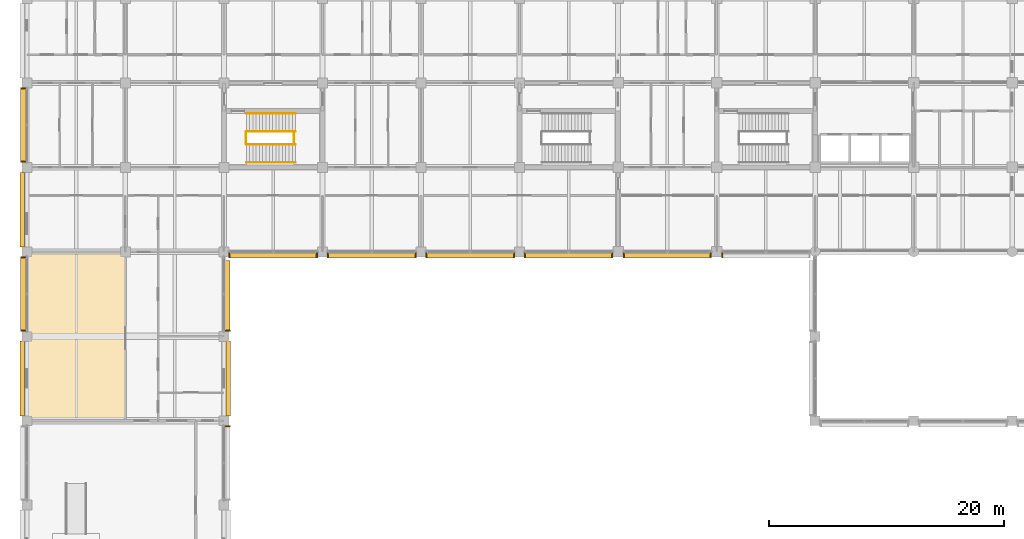
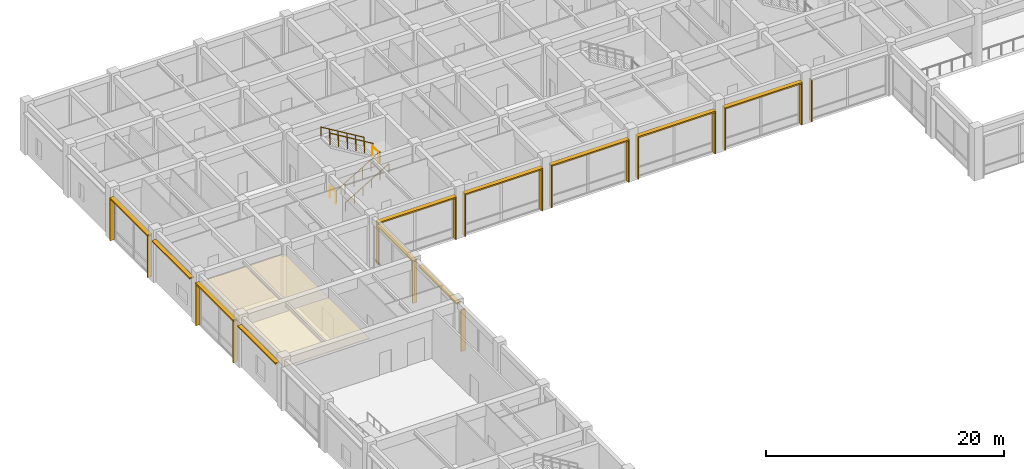
# One storey, part 46 of 51: 28 shading devices, 6 railings, 1 covering.
"""IFC4 building model written with IfcOpenShell, lengths in metres."""

from ifc_helpers import new_model, si_unit, direction, frame, origin, origin_2d, place, context, subcontext, project, spatial, polyline, rectangle, circle, outline, extrude, material, layer, layer_set, type_object, element, save


model = new_model("IFC4")

# Units and contexts
model_context = context("Model", 3, precision=1e-05, world=origin(), true_north=direction((0.0, 1.0)))
body_context = subcontext(model_context, "Body", "Model", "MODEL_VIEW")
ifc_project = project(units=[si_unit("LENGTHUNIT", "METRE"), si_unit("AREAUNIT", "SQUARE_METRE"), si_unit("VOLUMEUNIT", "CUBIC_METRE"), si_unit("PLANEANGLEUNIT", "RADIAN"), si_unit("MASSUNIT", "GRAM", prefix="KILO")], contexts=[model_context])

# Site, building, storey
site_placement = place(None, origin())
site = spatial("IfcSite", under=ifc_project, at=site_placement, CompositionType="ELEMENT")
building_placement = place(site_placement, origin())
building = spatial("IfcBuilding", under=site, at=building_placement, Name="Chengyuan Square Courthouse", CompositionType="ELEMENT")
storey_placement = place(building_placement, frame((0.0, 0.0, 10.800048828125)))
storey = spatial("IfcBuildingStorey", under=building, at=storey_placement, Name="L03", CompositionType="ELEMENT", Elevation=10.800048828125)

# Covering
ifc_material_1 = material(Name="Perforated Larch Glulam Acoustic Slat Ceiling", Category="wood")
ifc_layer = layer(ifc_material_1, 0.044921875)
ifc_layer_set = layer_set([ifc_layer], Name="Perforated Larch Glulam Acoustic Slat Ceiling")
covering_type = type_object("IfcCoveringType", Name="CLG-01", PredefinedType="CEILING", material=ifc_layer_set)
covering_placement = place(storey_placement, frame((0.0, 0.0, 4.02001953125)))
element("IfcCovering", 1, at=covering_placement, inside=storey, type_object=covering_type, Name="Acoustic Timber Slat Ceiling CLG-L03-CRT-W09", PredefinedType="CEILING", context=body_context, shape_type="SweptSolid", body=[
    extrude(outline(polyline([(0.050048828125, 64.85009765625), (8.35009765625, 64.85009765625), (8.35009765625, 79.14990234375), (0.050048828125, 79.14990234375), (0.050048828125, 64.85009765625)])), origin(), (0.0, 0.0, 1.0), 0.044921875),
])

# Railings
ifc_material_2 = material(Name="Tempered Glass and Timber Top-Rail Balustrade", Category="wood")
railing_type_1 = type_object("IfcRailingType", Name="RL-02", PredefinedType="BALUSTRADE", material=ifc_material_2)
for number, where, name in (
    (2, (18.68994140625, 88.39990234375, 0.0), "Stair Floor Slot Guard ST-9 L03"),
    (3, (22.7900390625, 88.39990234375, 2.699951171875), "Stair Landing Guard ST-9-L03"),
):
    element("IfcRailing", number, at=place(storey_placement, frame(where)), inside=storey, type_object=railing_type_1, Name=name, PredefinedType="BALUSTRADE", context=body_context, shape_type="SweptSolid", body=[
        extrude(circle(Radius=0.02392578125, at=origin_2d()), frame((0.0, 0.0, 1.17578125), z_axis=(0.0, 1.0, 0.0), x_axis=(-1.0, 0.0, 0.0)), (0.0, 0.0, 1.0), 1.0),
        extrude(circle(Radius=0.02099609375, at=origin_2d()), origin(), (0.0, 0.0, 1.0), 1.15185546875),
        extrude(circle(Radius=0.02099609375, at=origin_2d()), frame((0.0, 1.0, 0.0)), (0.0, 0.0, 1.0), 1.15185546875),
    ])
railing_1_placement = place(storey_placement, frame((18.7099609375, 88.35009765625, 0.168701171875)))
element("IfcRailing", 4, at=railing_1_placement, inside=storey, type_object=railing_type_1, Name="Stair Flight 1 Guard ST-9-L03", PredefinedType="BALUSTRADE", context=body_context, shape_type="SweptSolid", body=[
    extrude(circle(Radius=0.02392578125, at=origin_2d()), frame((0.0, 0.0, 1.17578125), z_axis=(0.856476492594, 0.0, 0.516186030065), x_axis=(0.0, 1.0, 0.0)), (0.0, 0.0, 1.0), 4.90380859375),
    extrude(circle(Radius=0.02099609375, at=origin_2d()), origin(), (0.0, 0.0, 1.0), 1.15185546875),
    extrude(circle(Radius=0.02099609375, at=origin_2d()), frame((0.840087890625, 0.0, 0.50634765625)), (0.0, 0.0, 1.0), 1.15185546875),
    extrude(circle(Radius=0.02099609375, at=origin_2d()), frame((1.679931640625, 0.0, 1.012451171875)), (0.0, 0.0, 1.0), 1.15185546875),
    extrude(circle(Radius=0.02099609375, at=origin_2d()), frame((2.52001953125, 0.0, 1.518798828125)), (0.0, 0.0, 1.0), 1.15185546875),
    extrude(circle(Radius=0.02099609375, at=origin_2d()), frame((3.35986328125, 0.0, 2.02490234375)), (0.0, 0.0, 1.0), 1.15185546875),
    extrude(circle(Radius=0.02099609375, at=origin_2d()), frame((4.199951171875, 0.0, 2.53125)), (0.0, 0.0, 1.0), 1.15185546875),
])
railing_2_placement = place(storey_placement, frame((22.909912109375, 89.449951171875, 2.86865234375)))
element("IfcRailing", 5, at=railing_2_placement, inside=storey, type_object=railing_type_1, Name="Stair Flight 2 Guard ST-9-L03", PredefinedType="BALUSTRADE", context=body_context, shape_type="SweptSolid", body=[
    extrude(circle(Radius=0.02392578125, at=origin_2d()), frame((0.0, 0.0, 1.17578125), z_axis=(-0.856476492594, 0.0, 0.516186030065), x_axis=(0.0, -1.0, 0.0)), (0.0, 0.0, 1.0), 4.90380859375),
    extrude(circle(Radius=0.02099609375, at=origin_2d()), origin(), (0.0, 0.0, 1.0), 1.15185546875),
    extrude(circle(Radius=0.02099609375, at=origin_2d()), frame((-0.840087890625, 0.0, 0.50634765625)), (0.0, 0.0, 1.0), 1.15185546875),
    extrude(circle(Radius=0.02099609375, at=origin_2d()), frame((-1.679931640625, 0.0, 1.012451171875)), (0.0, 0.0, 1.0), 1.15185546875),
    extrude(circle(Radius=0.02099609375, at=origin_2d()), frame((-2.52001953125, 0.0, 1.518798828125)), (0.0, 0.0, 1.0), 1.15185546875),
    extrude(circle(Radius=0.02099609375, at=origin_2d()), frame((-3.35986328125, 0.0, 2.02490234375)), (0.0, 0.0, 1.0), 1.15185546875),
    extrude(circle(Radius=0.02099609375, at=origin_2d()), frame((-4.199951171875, 0.0, 2.53125)), (0.0, 0.0, 1.0), 1.15185546875),
])
ifc_material_3 = material(Name="Stainless Steel S30408 Stair Handrail", Category="steel")
railing_type_2 = type_object("IfcRailingType", Name="RL-04", PredefinedType="HANDRAIL", material=ifc_material_3)
railing_3_placement = place(storey_placement, frame((18.7099609375, 86.820068359375, 0.168701171875)))
element("IfcRailing", 6, at=railing_3_placement, inside=storey, type_object=railing_type_2, Name="Stair Flight 1 Handrail ST-9-L03", PredefinedType="HANDRAIL", context=body_context, shape_type="SweptSolid", body=[
    extrude(circle(Radius=0.02392578125, at=origin_2d()), frame((0.0, 0.0, 0.8759765625), z_axis=(0.856476492594, 0.0, 0.516186030065), x_axis=(0.0, 1.0, 0.0)), (0.0, 0.0, 1.0), 4.90380859375),
    extrude(circle(Radius=0.02099609375, at=origin_2d()), origin(), (0.0, 0.0, 1.0), 0.851806640625),
    extrude(circle(Radius=0.02099609375, at=origin_2d()), frame((0.840087890625, 0.0, 0.50634765625)), (0.0, 0.0, 1.0), 0.851806640625),
    extrude(circle(Radius=0.02099609375, at=origin_2d()), frame((1.679931640625, 0.0, 1.012451171875)), (0.0, 0.0, 1.0), 0.851806640625),
    extrude(circle(Radius=0.02099609375, at=origin_2d()), frame((2.52001953125, 0.0, 1.518798828125)), (0.0, 0.0, 1.0), 0.851806640625),
    extrude(circle(Radius=0.02099609375, at=origin_2d()), frame((3.35986328125, 0.0, 2.02490234375)), (0.0, 0.0, 1.0), 0.851806640625),
    extrude(circle(Radius=0.02099609375, at=origin_2d()), frame((4.199951171875, 0.0, 2.53125)), (0.0, 0.0, 1.0), 0.851806640625),
])
railing_4_placement = place(storey_placement, frame((22.909912109375, 90.97998046875, 2.86865234375)))
element("IfcRailing", 7, at=railing_4_placement, inside=storey, type_object=railing_type_2, Name="Stair Flight 2 Handrail ST-9-L03", PredefinedType="HANDRAIL", context=body_context, shape_type="SweptSolid", body=[
    extrude(circle(Radius=0.02392578125, at=origin_2d()), frame((0.0, 0.0, 0.8759765625), z_axis=(-0.856476492594, 0.0, 0.516186030065), x_axis=(0.0, -1.0, 0.0)), (0.0, 0.0, 1.0), 4.90380859375),
    extrude(circle(Radius=0.02099609375, at=origin_2d()), origin(), (0.0, 0.0, 1.0), 0.851806640625),
    extrude(circle(Radius=0.02099609375, at=origin_2d()), frame((-0.840087890625, 0.0, 0.50634765625)), (0.0, 0.0, 1.0), 0.851806640625),
    extrude(circle(Radius=0.02099609375, at=origin_2d()), frame((-1.679931640625, 0.0, 1.012451171875)), (0.0, 0.0, 1.0), 0.851806640625),
    extrude(circle(Radius=0.02099609375, at=origin_2d()), frame((-2.52001953125, 0.0, 1.518798828125)), (0.0, 0.0, 1.0), 0.851806640625),
    extrude(circle(Radius=0.02099609375, at=origin_2d()), frame((-3.35986328125, 0.0, 2.02490234375)), (0.0, 0.0, 1.0), 0.851806640625),
    extrude(circle(Radius=0.02099609375, at=origin_2d()), frame((-4.199951171875, 0.0, 2.53125)), (0.0, 0.0, 1.0), 0.851806640625),
])

# Shading devices
ifc_material_4 = material(Name="Glulam TCt28 Solar Shading Fin", Category="wood")
shading_device_type_1 = type_object("IfcShadingDeviceType", Name="SHD-01", PredefinedType="JALOUSIE", material=ifc_material_4)
for number, where, z_axis, x_axis, name in (
    (8, (-0.31201171875, 72.465087890625, 0.0400390625), (0.0, 0.0, 1.0), (1.0, 0.0, 0.0), "Glulam Solar Fin SHD-L03-0300"),
    (9, (-0.31201171875, 78.735107421875, 0.0400390625), (0.0, 0.0, 1.0), (1.0, 0.0, 0.0), "Glulam Solar Fin SHD-L03-0301"),
    (10, (-0.31201171875, 86.864990234375, 0.0400390625), (0.0, 0.0, 1.0), (1.0, 0.0, 0.0), "Glulam Solar Fin SHD-L03-0304"),
    (11, (-0.31201171875, 93.135009765625, 0.0400390625), (0.0, 0.0, 1.0), (1.0, 0.0, 0.0), "Glulam Solar Fin SHD-L03-0305"),
    (12, (17.112060546875, 64.3349609375, 0.0400390625), (0.0, 0.0, 1.0), (1.0, 0.0, 0.0), "Glulam Solar Fin SHD-L03-0314"),
    (13, (17.112060546875, 72.465087890625, 0.0400390625), (0.0, 0.0, 1.0), (1.0, 0.0, 0.0), "Glulam Solar Fin SHD-L03-0317"),
    (14, (17.260009765625, 78.89794921875, 0.0400390625), (0.0, 0.0, 1.0), (0.0, 1.0, 0.0), "Glulam Solar Fin SHD-L03-0319"),
    (15, (24.739990234375, 78.89794921875, 0.0400390625), (0.0, 0.0, 1.0), (0.0, 1.0, 0.0), "Glulam Solar Fin SHD-L03-0320"),
    (16, (25.659912109375, 78.89794921875, 0.0400390625), (0.0, 0.0, 1.0), (0.0, 1.0, 0.0), "Glulam Solar Fin SHD-L03-0322"),
    (17, (33.139892578125, 78.89794921875, 0.0400390625), (0.0, 0.0, 1.0), (0.0, 1.0, 0.0), "Glulam Solar Fin SHD-L03-0323"),
    (18, (34.06005859375, 78.89794921875, 0.0400390625), (0.0, 0.0, 1.0), (0.0, 1.0, 0.0), "Glulam Solar Fin SHD-L03-0325"),
    (19, (41.5400390625, 78.89794921875, 0.0400390625), (0.0, 0.0, 1.0), (0.0, 1.0, 0.0), "Glulam Solar Fin SHD-L03-0326"),
    (20, (42.4599609375, 78.89794921875, 0.0400390625), (0.0, 0.0, 1.0), (0.0, 1.0, 0.0), "Glulam Solar Fin SHD-L03-0328"),
    (21, (49.9150390625, 78.89794921875, 0.0400390625), (0.0, 0.0, 1.0), (0.0, 1.0, 0.0), "Glulam Solar Fin SHD-L03-0329"),
    (22, (50.885009765625, 78.89794921875, 0.0400390625), (0.0, 0.0, 1.0), (0.0, 1.0, 0.0), "Glulam Solar Fin SHD-L03-0331"),
    (23, (58.31494140625, 78.89794921875, 0.0400390625), (0.0, 0.0, 1.0), (0.0, 1.0, 0.0), "Glulam Solar Fin SHD-L03-0332"),
    (24, (59.284912109375, 78.89794921875, 0.0400390625), (0.0, 0.0, 1.0), (0.0, 1.0, 0.0), "Glulam Solar Fin SHD-L03-0335"),
):
    element("IfcShadingDevice", number, at=place(storey_placement, frame(where, z_axis=z_axis, x_axis=x_axis)), inside=storey, type_object=shading_device_type_1, Name=name, PredefinedType="JALOUSIE", context=body_context, shape_type="SweptSolid", body=[
        extrude(rectangle(XDim=0.419921875, YDim=0.094970703125, at=origin_2d()), origin(), (0.0, 0.0, 1.0), 4.260009765625),
    ])
ifc_material_5 = material(Name="Glulam TCt28 Sunshade Louvre", Category="wood")
shading_device_type_2 = type_object("IfcShadingDeviceType", Name="SHD-02", PredefinedType="AWNING", material=ifc_material_5)
for number, where, z_axis, x_axis, name in (
    (25, (-0.31201171875, 75.60009765625, 4.2998046875), (0.0, 0.0, 1.0), (0.0, 1.0, 0.0), "Glulam Sunshade Louvre SHD-L03-0302"),
    (26, (-0.31201171875, 90.0, 4.2998046875), (0.0, 0.0, 1.0), (0.0, 1.0, 0.0), "Glulam Sunshade Louvre SHD-L03-0306"),
):
    element("IfcShadingDevice", number, at=place(storey_placement, frame(where, z_axis=z_axis, x_axis=x_axis)), inside=storey, type_object=shading_device_type_2, Name=name, PredefinedType="AWNING", context=body_context, shape_type="SweptSolid", body=[
        extrude(rectangle(XDim=6.35009765625, YDim=0.43994140625, at=origin_2d()), origin(), (0.0, 0.0, 1.0), 0.139892578125),
    ])
shading_device_1_placement = place(storey_placement, frame((17.112060546875, 75.449951171875, 4.2998046875), z_axis=(0.0, 0.0, 1.0), x_axis=(0.0, 1.0, 0.0)))
element("IfcShadingDevice", 27, at=shading_device_1_placement, inside=storey, type_object=shading_device_type_2, Name="Glulam Sunshade Louvre SHD-L03-0318", PredefinedType="AWNING", context=body_context, shape_type="SweptSolid", body=[
    extrude(rectangle(XDim=6.050048828125, YDim=0.43994140625, at=origin_2d()), origin(), (0.0, 0.0, 1.0), 0.139892578125),
])
for number, where, z_axis, x_axis, name in (
    (28, (21.0, 78.89794921875, 4.2998046875), (0.0, 0.0, 1.0), (1.0, 0.0, 0.0), "Glulam Sunshade Louvre SHD-L03-0321"),
    (29, (29.39990234375, 78.89794921875, 4.2998046875), (0.0, 0.0, 1.0), (1.0, 0.0, 0.0), "Glulam Sunshade Louvre SHD-L03-0324"),
    (30, (37.800048828125, 78.89794921875, 4.2998046875), (0.0, 0.0, 1.0), (1.0, 0.0, 0.0), "Glulam Sunshade Louvre SHD-L03-0327"),
):
    element("IfcShadingDevice", number, at=place(storey_placement, frame(where, z_axis=z_axis, x_axis=x_axis)), inside=storey, type_object=shading_device_type_2, Name=name, PredefinedType="AWNING", context=body_context, shape_type="SweptSolid", body=[
        extrude(rectangle(XDim=7.550048828125, YDim=0.43994140625, at=origin_2d()), origin(), (0.0, 0.0, 1.0), 0.139892578125),
    ])
shading_device_2_placement = place(storey_placement, frame((46.1875, 78.89794921875, 4.2998046875), z_axis=(0.0, 0.0, 1.0), x_axis=(1.0, 0.0, 0.0)))
element("IfcShadingDevice", 31, at=shading_device_2_placement, inside=storey, type_object=shading_device_type_2, Name="Glulam Sunshade Louvre SHD-L03-0330", PredefinedType="AWNING", context=body_context, shape_type="SweptSolid", body=[
    extrude(rectangle(XDim=7.52490234375, YDim=0.43994140625, at=origin_2d()), origin(), (0.0, 0.0, 1.0), 0.139892578125),
])
shading_device_3_placement = place(storey_placement, frame((54.60009765625, 78.89794921875, 4.2998046875), z_axis=(0.0, 0.0, 1.0), x_axis=(1.0, 0.0, 0.0)))
element("IfcShadingDevice", 32, at=shading_device_3_placement, inside=storey, type_object=shading_device_type_2, Name="Glulam Sunshade Louvre SHD-L03-0333", PredefinedType="AWNING", context=body_context, shape_type="SweptSolid", body=[
    extrude(rectangle(XDim=7.5, YDim=0.43994140625, at=origin_2d()), origin(), (0.0, 0.0, 1.0), 0.139892578125),
])
ifc_material_6 = material(Name="Glulam TCt28 Facade Sunshade", Category="wood")
shading_device_type_3 = type_object("IfcShadingDeviceType", Name="SHD-03", PredefinedType="AWNING", material=ifc_material_6)
for number, where, z_axis, x_axis, name in (
    (33, (-0.382080078125, 68.39990234375, 4.27978515625), (0.0, 0.0, 1.0), (0.0, 1.0, 0.0), "Glulam Facade Sunshade SHD-L03-0299"),
    (34, (-0.382080078125, 82.800048828125, 4.27978515625), (0.0, 0.0, 1.0), (0.0, 1.0, 0.0), "Glulam Facade Sunshade SHD-L03-0303"),
    (35, (17.181884765625, 68.39990234375, 4.27978515625), (0.0, 0.0, 1.0), (0.0, 1.0, 0.0), "Glulam Facade Sunshade SHD-L03-0316"),
):
    element("IfcShadingDevice", number, at=place(storey_placement, frame(where, z_axis=z_axis, x_axis=x_axis)), inside=storey, type_object=shading_device_type_3, Name=name, PredefinedType="AWNING", context=body_context, shape_type="SweptSolid", body=[
        extrude(rectangle(XDim=6.360107421875, YDim=0.39990234375, at=origin_2d()), origin(), (0.0, 0.0, 1.0), 0.139892578125),
    ])

save(model, "model.ifc")
